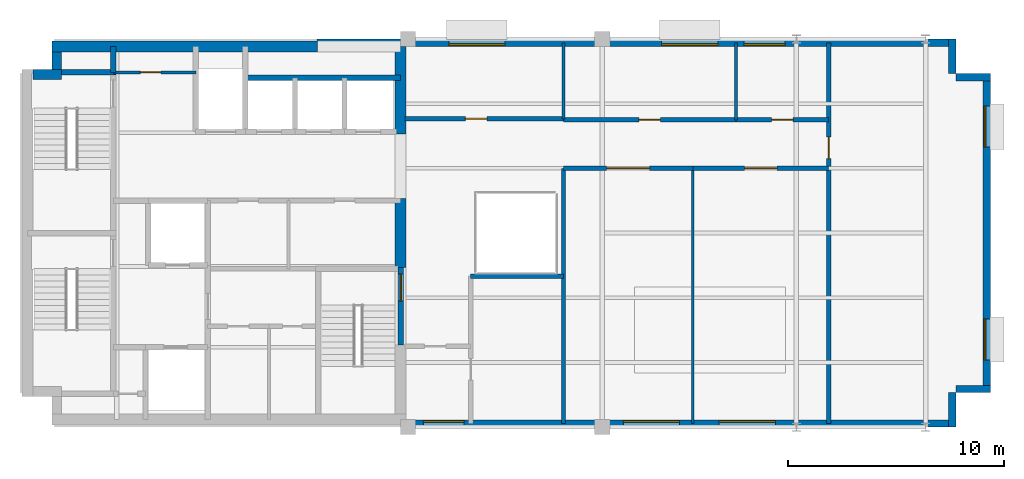
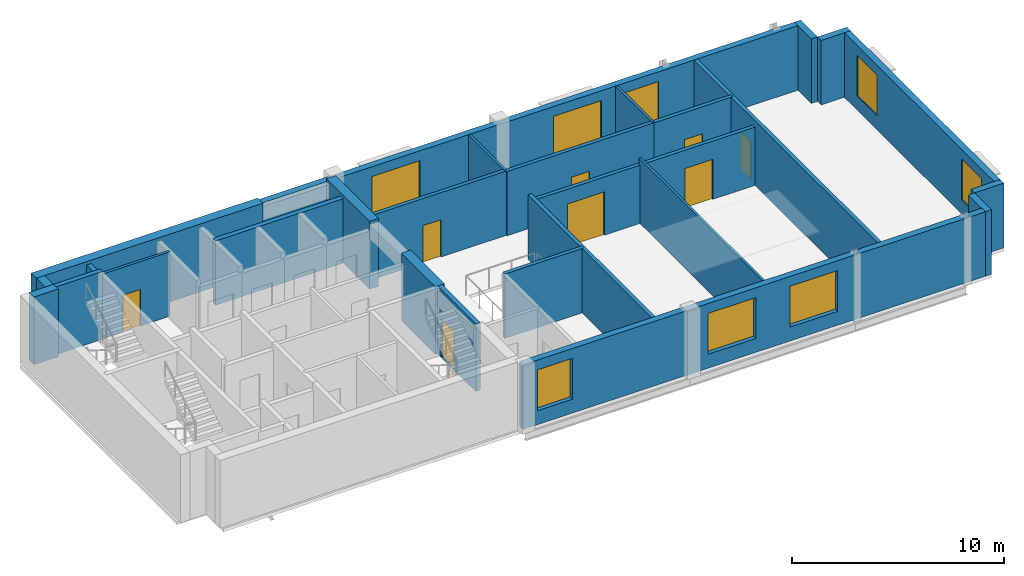
# One storey, part 3 of 5: 28 walls, 8 doors, 8 windows, 16 openings.
"""IFC4 building model written with IfcOpenShell, lengths in metres."""

from ifc_helpers import new_model, si_unit, direction, frame, frame_2d, origin, place, context, subcontext, project, spatial, rectangle, extrude, material, layer, layer_set, type_object, element, fill, save


model = new_model("IFC4")

# Units and contexts
model_context = context("Model", 3, precision=1e-05, world=origin(), true_north=direction((0.0, 1.0)))
body_context = subcontext(model_context, "Body", "Model", "MODEL_VIEW")
ifc_project = project(units=[si_unit("LENGTHUNIT", "METRE"), si_unit("AREAUNIT", "SQUARE_METRE"), si_unit("VOLUMEUNIT", "CUBIC_METRE"), si_unit("PLANEANGLEUNIT", "RADIAN"), si_unit("MASSUNIT", "GRAM", prefix="KILO")], contexts=[model_context])

# Site, building, storey
site_placement = place(None, origin())
site = spatial("IfcSite", under=ifc_project, at=site_placement, CompositionType="ELEMENT")
building_placement = place(site_placement, origin())
building = spatial("IfcBuilding", under=site, at=building_placement, Name="Mawjdan Bourse Tower", CompositionType="ELEMENT")
storey_placement = place(building_placement, frame((0.0, 0.0, 301.5)))
storey = spatial("IfcBuildingStorey", under=building, at=storey_placement, Name="L74", CompositionType="ELEMENT", Elevation=301.5)

# Wall, openings, windows
ifc_material_1 = material(Name="Brick Masonry Buff", Category="masonry")
ifc_layer_1 = layer(ifc_material_1, 0.340087890625)
ifc_layer_set_1 = layer_set([ifc_layer_1], Name="Brick Masonry Buff")
wall_type_1 = type_object("IfcWallType", Name="WL-BRK-SPN-340", PredefinedType="STANDARD", material=ifc_layer_set_1)
wall_1_placement = place(storey_placement, frame((23.89990234375, 3.169921875, 0.0), z_axis=(0.0, 0.0, 1.0), x_axis=(1.0, 0.0, 0.0)))
wall_1 = element("IfcWall", 1, at=wall_1_placement, inside=storey, type_object=wall_type_1, Name="L74 Exterior Brick Wall 1", PredefinedType="STANDARD", context=body_context, shape_type="SweptSolid", body=[
    extrude(rectangle(XDim=25.5, YDim=0.340087890625, at=frame_2d((12.75, 0.0))), origin(), (0.0, 0.0, 1.0), 3.715087890625),
])
opening_1_placement = place(wall_1_placement, frame((0.800048828125, 0.0, 0.800048828125)))
opening_1 = element("IfcOpeningElement", 2, at=opening_1_placement, cuts=wall_1, Name="Opening W-L74-05", PredefinedType="OPENING", context=body_context, shape_type="SweptSolid", body=[
    extrude(rectangle(XDim=1.89990234375, YDim=2.35009765625, at=frame_2d((0.949951171875, 1.175048828125))), frame((0.0, 0.18017578125, 0.0), z_axis=(0.0, -1.0, 0.0), x_axis=(1.0, 0.0, 0.0)), (0.0, 0.0, 1.0), 0.360107421875),
])
opening_2_placement = place(wall_1_placement, frame((10.07470703125, 0.0, 0.800048828125)))
opening_2 = element("IfcOpeningElement", 3, at=opening_2_placement, cuts=wall_1, Name="Opening W-L74-06", PredefinedType="OPENING", context=body_context, shape_type="SweptSolid", body=[
    extrude(rectangle(XDim=2.60009765625, YDim=2.35009765625, at=frame_2d((1.300048828125, 1.175048828125))), frame((0.0, 0.18017578125, 0.0), z_axis=(0.0, -1.0, 0.0), x_axis=(1.0, 0.0, 0.0)), (0.0, 0.0, 1.0), 0.360107421875),
])
opening_3_placement = place(wall_1_placement, frame((14.52490234375, 0.0, 0.800048828125)))
opening_3 = element("IfcOpeningElement", 4, at=opening_3_placement, cuts=wall_1, Name="Opening W-L74-07", PredefinedType="OPENING", context=body_context, shape_type="SweptSolid", body=[
    extrude(rectangle(XDim=2.60009765625, YDim=2.35009765625, at=frame_2d((1.300048828125, 1.175048828125))), frame((0.0, 0.18017578125, 0.0), z_axis=(0.0, -1.0, 0.0), x_axis=(1.0, 0.0, 0.0)), (0.0, 0.0, 1.0), 0.360107421875),
])
ifc_material_2 = material(Name="Solar-Control Clear Double Glazing", Category="glass")
window_type_1 = type_object("IfcWindowType", Name="WN-SMT-1900", PartitioningType="SINGLE_PANEL", PredefinedType="WINDOW", material=ifc_material_2)
window_1_placement = place(opening_1_placement, origin())
window_1 = element("IfcWindow", 5, at=window_1_placement, inside=storey, type_object=window_type_1, Name="L74 Deep-Set Masonry Window W-L74-05", OverallHeight=2.35009765625, OverallWidth=1.89990234375, PartitioningType="SINGLE_PANEL", PredefinedType="WINDOW", context=body_context, shape_type="SweptSolid", body=[
    extrude(rectangle(XDim=1.89990234375, YDim=2.35009765625, at=frame_2d((0.949951171875, 1.175048828125))), frame((0.0, 0.110107421875, 0.0), z_axis=(0.0, -1.0, 0.0), x_axis=(1.0, 0.0, 0.0)), (0.0, 0.0, 1.0), 0.06005859375),
])
fill(opening_1, window_1)
window_type_2 = type_object("IfcWindowType", Name="WN-SMT-2600", PartitioningType="SINGLE_PANEL", PredefinedType="WINDOW", material=ifc_material_2)
window_2_placement = place(opening_2_placement, origin())
window_2 = element("IfcWindow", 6, at=window_2_placement, inside=storey, type_object=window_type_2, Name="L74 Deep-Set Masonry Window W-L74-06", OverallHeight=2.35009765625, OverallWidth=2.60009765625, PartitioningType="SINGLE_PANEL", PredefinedType="WINDOW", context=body_context, shape_type="SweptSolid", body=[
    extrude(rectangle(XDim=2.60009765625, YDim=2.35009765625, at=frame_2d((1.300048828125, 1.175048828125))), frame((0.0, 0.110107421875, 0.0), z_axis=(0.0, -1.0, 0.0), x_axis=(1.0, 0.0, 0.0)), (0.0, 0.0, 1.0), 0.06005859375),
])
fill(opening_2, window_2)
window_3_placement = place(opening_3_placement, origin())
window_3 = element("IfcWindow", 7, at=window_3_placement, inside=storey, type_object=window_type_2, Name="L74 Deep-Set Masonry Window W-L74-07", OverallHeight=2.35009765625, OverallWidth=2.60009765625, PartitioningType="SINGLE_PANEL", PredefinedType="WINDOW", context=body_context, shape_type="SweptSolid", body=[
    extrude(rectangle(XDim=2.60009765625, YDim=2.35009765625, at=frame_2d((1.300048828125, 1.175048828125))), frame((0.0, 0.110107421875, 0.0), z_axis=(0.0, -1.0, 0.0), x_axis=(1.0, 0.0, 0.0)), (0.0, 0.0, 1.0), 0.06005859375),
])
fill(opening_3, window_3)

# Walls
for number, where, z_axis, x_axis, name in (
    (8, (49.22998046875, 3.0, 0.0), (0.0, 0.0, 1.0), (0.0, 1.0, 0.0), "L74 Exterior Brick Wall 2"),
    (9, (49.39990234375, 4.77001953125, 0.0), (0.0, 0.0, 1.0), (1.0, 0.0, 0.0), "L74 Exterior Brick Wall 3"),
):
    element("IfcWall", number, at=place(storey_placement, frame(where, z_axis=z_axis, x_axis=x_axis)), inside=storey, type_object=wall_type_1, Name=name, PredefinedType="STANDARD", context=body_context, shape_type="SweptSolid", body=[
        extrude(rectangle(XDim=1.60009765625, YDim=0.340087890625, at=frame_2d((0.800048828125, 0.0))), origin(), (0.0, 0.0, 1.0), 3.715087890625),
    ])

# Wall, openings, windows
wall_2_placement = place(storey_placement, frame((50.830078125, 4.60009765625, 0.0), z_axis=(0.0, 0.0, 1.0), x_axis=(0.0, 1.0, 0.0)))
wall_2 = element("IfcWall", 10, at=wall_2_placement, inside=storey, type_object=wall_type_1, Name="L74 Exterior Brick Wall 4", PredefinedType="STANDARD", context=body_context, shape_type="SweptSolid", body=[
    extrude(rectangle(XDim=14.7998046875, YDim=0.340087890625, at=frame_2d((7.39990234375, 0.0))), origin(), (0.0, 0.0, 1.0), 3.715087890625),
])
opening_4_placement = place(wall_2_placement, frame((1.5166015625, 0.0, 0.800048828125)))
opening_4 = element("IfcOpeningElement", 11, at=opening_4_placement, cuts=wall_2, Name="Opening W-L74-01", PredefinedType="OPENING", context=body_context, shape_type="SweptSolid", body=[
    extrude(rectangle(XDim=1.89990234375, YDim=2.35009765625, at=frame_2d((0.949951171875, 1.175048828125))), frame((0.0, 0.18017578125, 0.0), z_axis=(0.0, -1.0, 0.0), x_axis=(1.0, 0.0, 0.0)), (0.0, 0.0, 1.0), 0.360107421875),
])
opening_5_placement = place(wall_2_placement, frame((11.38330078125, 0.0, 0.800048828125)))
opening_5 = element("IfcOpeningElement", 12, at=opening_5_placement, cuts=wall_2, Name="Opening W-L74-02", PredefinedType="OPENING", context=body_context, shape_type="SweptSolid", body=[
    extrude(rectangle(XDim=1.89990234375, YDim=2.35009765625, at=frame_2d((0.949951171875, 1.175048828125))), frame((0.0, 0.18017578125, 0.0), z_axis=(0.0, -1.0, 0.0), x_axis=(1.0, 0.0, 0.0)), (0.0, 0.0, 1.0), 0.360107421875),
])
window_4_placement = place(opening_4_placement, origin())
window_4 = element("IfcWindow", 13, at=window_4_placement, inside=storey, type_object=window_type_1, Name="L74 Deep-Set Masonry Window W-L74-01", OverallHeight=2.35009765625, OverallWidth=1.89990234375, PartitioningType="SINGLE_PANEL", PredefinedType="WINDOW", context=body_context, shape_type="SweptSolid", body=[
    extrude(rectangle(XDim=1.89990234375, YDim=2.35009765625, at=frame_2d((0.949951171875, 1.175048828125))), frame((0.0, 0.110107421875, 0.0), z_axis=(0.0, -1.0, 0.0), x_axis=(1.0, 0.0, 0.0)), (0.0, 0.0, 1.0), 0.06005859375),
])
fill(opening_4, window_4)
window_5_placement = place(opening_5_placement, origin())
window_5 = element("IfcWindow", 14, at=window_5_placement, inside=storey, type_object=window_type_1, Name="L74 Deep-Set Masonry Window W-L74-02", OverallHeight=2.35009765625, OverallWidth=1.89990234375, PartitioningType="SINGLE_PANEL", PredefinedType="WINDOW", context=body_context, shape_type="SweptSolid", body=[
    extrude(rectangle(XDim=1.89990234375, YDim=2.35009765625, at=frame_2d((0.949951171875, 1.175048828125))), frame((0.0, 0.110107421875, 0.0), z_axis=(0.0, -1.0, 0.0), x_axis=(1.0, 0.0, 0.0)), (0.0, 0.0, 1.0), 0.06005859375),
])
fill(opening_5, window_5)

# Walls
for number, where, z_axis, x_axis, name in (
    (15, (51.0, 19.22998046875, 0.0), (0.0, 0.0, 1.0), (-1.0, 0.0, 0.0), "L74 Exterior Brick Wall 5"),
    (16, (49.22998046875, 19.39990234375, 0.0), (0.0, 0.0, 1.0), (0.0, 1.0, 0.0), "L74 Exterior Brick Wall 6"),
):
    element("IfcWall", number, at=place(storey_placement, frame(where, z_axis=z_axis, x_axis=x_axis)), inside=storey, type_object=wall_type_1, Name=name, PredefinedType="STANDARD", context=body_context, shape_type="SweptSolid", body=[
        extrude(rectangle(XDim=1.60009765625, YDim=0.340087890625, at=frame_2d((0.800048828125, 0.0))), origin(), (0.0, 0.0, 1.0), 3.715087890625),
    ])

# Wall, openings, windows
wall_3_placement = place(storey_placement, frame((49.39990234375, 20.830078125, 0.0), z_axis=(0.0, 0.0, 1.0), x_axis=(-1.0, 0.0, 0.0)))
wall_3 = element("IfcWall", 17, at=wall_3_placement, inside=storey, type_object=wall_type_1, Name="L74 Exterior Brick Wall 7", PredefinedType="STANDARD", context=body_context, shape_type="SweptSolid", body=[
    extrude(rectangle(XDim=29.619873046875, YDim=0.340087890625, at=frame_2d((14.81005859375, 0.0))), origin(), (0.0, 0.0, 1.0), 3.715087890625),
])
opening_6_placement = place(wall_3_placement, frame((11.041748046875, 0.0, 0.800048828125)))
opening_6 = element("IfcOpeningElement", 18, at=opening_6_placement, cuts=wall_3, Name="Opening W-L74-03", PredefinedType="OPENING", context=body_context, shape_type="SweptSolid", body=[
    extrude(rectangle(XDim=2.60009765625, YDim=2.35009765625, at=frame_2d((1.300048828125, 1.175048828125))), frame((0.0, 0.18017578125, 0.0), z_axis=(0.0, -1.0, 0.0), x_axis=(1.0, 0.0, 0.0)), (0.0, 0.0, 1.0), 0.360107421875),
])
opening_7_placement = place(wall_3_placement, frame((20.9150390625, 0.0, 0.800048828125)))
opening_7 = element("IfcOpeningElement", 19, at=opening_7_placement, cuts=wall_3, Name="Opening W-L74-04", PredefinedType="OPENING", context=body_context, shape_type="SweptSolid", body=[
    extrude(rectangle(XDim=2.60009765625, YDim=2.35009765625, at=frame_2d((1.300048828125, 1.175048828125))), frame((0.0, 0.18017578125, 0.0), z_axis=(0.0, -1.0, 0.0), x_axis=(1.0, 0.0, 0.0)), (0.0, 0.0, 1.0), 0.360107421875),
])
opening_8_placement = place(wall_3_placement, frame((7.9248046875, 0.0, 0.800048828125)))
opening_8 = element("IfcOpeningElement", 20, at=opening_8_placement, cuts=wall_3, Name="Opening W-L74-08", PredefinedType="OPENING", context=body_context, shape_type="SweptSolid", body=[
    extrude(rectangle(XDim=1.89990234375, YDim=2.35009765625, at=frame_2d((0.949951171875, 1.175048828125))), frame((0.0, 0.18017578125, 0.0), z_axis=(0.0, -1.0, 0.0), x_axis=(1.0, 0.0, 0.0)), (0.0, 0.0, 1.0), 0.360107421875),
])
window_6_placement = place(opening_8_placement, origin())
window_6 = element("IfcWindow", 21, at=window_6_placement, inside=storey, type_object=window_type_1, Name="L74 Deep-Set Masonry Window W-L74-08", OverallHeight=2.35009765625, OverallWidth=1.89990234375, PartitioningType="SINGLE_PANEL", PredefinedType="WINDOW", context=body_context, shape_type="SweptSolid", body=[
    extrude(rectangle(XDim=1.89990234375, YDim=2.35009765625, at=frame_2d((0.949951171875, 1.175048828125))), frame((0.0, 0.110107421875, 0.0), z_axis=(0.0, -1.0, 0.0), x_axis=(1.0, 0.0, 0.0)), (0.0, 0.0, 1.0), 0.06005859375),
])
fill(opening_8, window_6)
window_7_placement = place(opening_6_placement, origin())
window_7 = element("IfcWindow", 22, at=window_7_placement, inside=storey, type_object=window_type_2, Name="L74 Deep-Set Masonry Window W-L74-03", OverallHeight=2.35009765625, OverallWidth=2.60009765625, PartitioningType="SINGLE_PANEL", PredefinedType="WINDOW", context=body_context, shape_type="SweptSolid", body=[
    extrude(rectangle(XDim=2.60009765625, YDim=2.35009765625, at=frame_2d((1.300048828125, 1.175048828125))), frame((0.0, 0.110107421875, 0.0), z_axis=(0.0, -1.0, 0.0), x_axis=(1.0, 0.0, 0.0)), (0.0, 0.0, 1.0), 0.06005859375),
])
fill(opening_6, window_7)
window_8_placement = place(opening_7_placement, origin())
window_8 = element("IfcWindow", 23, at=window_8_placement, inside=storey, type_object=window_type_2, Name="L74 Deep-Set Masonry Window W-L74-04", OverallHeight=2.35009765625, OverallWidth=2.60009765625, PartitioningType="SINGLE_PANEL", PredefinedType="WINDOW", context=body_context, shape_type="SweptSolid", body=[
    extrude(rectangle(XDim=2.60009765625, YDim=2.35009765625, at=frame_2d((1.300048828125, 1.175048828125))), frame((0.0, 0.110107421875, 0.0), z_axis=(0.0, -1.0, 0.0), x_axis=(1.0, 0.0, 0.0)), (0.0, 0.0, 1.0), 0.06005859375),
])
fill(opening_7, window_8)

# Walls
ifc_material_3 = material(Name="Gypsum Fireboard Assembly")
ifc_layer_2 = layer(ifc_material_3, 0.199951171875)
ifc_layer_set_2 = layer_set([ifc_layer_2], Name="Gypsum Fireboard Assembly")
wall_type_2 = type_object("IfcWallType", Name="WL-CMP-200", PredefinedType="PARTITIONING", material=ifc_layer_set_2)
wall_4_placement = place(storey_placement, frame((26.89990234375, 10.0, 0.0), z_axis=(0.0, 0.0, 1.0), x_axis=(1.0, 0.0, 0.0)))
element("IfcWall", 24, at=wall_4_placement, inside=storey, type_object=wall_type_2, Name="L74 Summit South Atrium Suite North Wall", PredefinedType="PARTITIONING", context=body_context, shape_type="SweptSolid", body=[
    extrude(rectangle(XDim=4.300048828125, YDim=0.199951171875, at=frame_2d((2.14990234375, 0.0))), origin(), (0.0, 0.0, 1.0), 3.705078125),
])
wall_5_placement = place(storey_placement, frame((31.199951171875, 3.179931640625, 0.0), z_axis=(0.0, 0.0, 1.0), x_axis=(0.0, 1.0, 0.0)))
element("IfcWall", 25, at=wall_5_placement, inside=storey, type_object=wall_type_2, Name="L74 Summit South Atrium Suite East Wall", PredefinedType="PARTITIONING", context=body_context, shape_type="SweptSolid", body=[
    extrude(rectangle(XDim=11.820068359375, YDim=0.199951171875, at=frame_2d((5.91015625, 0.0))), origin(), (0.0, 0.0, 1.0), 3.705078125),
])

# Wall, opening, door
wall_6_placement = place(storey_placement, frame((23.85009765625, 17.300048828125, 0.0), z_axis=(0.0, 0.0, 1.0), x_axis=(1.0, 0.0, 0.0)))
wall_6 = element("IfcWall", 26, at=wall_6_placement, inside=storey, type_object=wall_type_2, Name="L74 Summit Throat North Wall", PredefinedType="PARTITIONING", context=body_context, shape_type="SweptSolid", body=[
    extrude(rectangle(XDim=7.349853515625, YDim=0.199951171875, at=frame_2d((3.6748046875, 0.0))), origin(), (0.0, 0.0, 1.0), 3.705078125),
])
opening_9_placement = place(wall_6_placement, frame((2.800048828125, 0.0, 0.0)))
opening_9 = element("IfcOpeningElement", 27, at=opening_9_placement, cuts=wall_6, Name="Opening D-L74-20", PredefinedType="OPENING", context=body_context, shape_type="SweptSolid", body=[
    extrude(rectangle(XDim=1.0, YDim=2.14990234375, at=frame_2d((0.5, 1.074951171875))), frame((0.0, 0.10986328125, 0.0), z_axis=(0.0, -1.0, 0.0), x_axis=(1.0, 0.0, 0.0)), (0.0, 0.0, 1.0), 0.219970703125),
])
ifc_material_4 = material(Name="Hardwood Acoustic Leaf", Category="wood")
door_type_1 = type_object("IfcDoorType", Name="DR-OFC-1000", OperationType="NOTDEFINED", PredefinedType="DOOR", material=ifc_material_4)
door_1_placement = place(opening_9_placement, origin())
door_1 = element("IfcDoor", 28, at=door_1_placement, inside=storey, type_object=door_type_1, Name="L74 Summit Throat North Room Door D-L74-20", OperationType="SINGLE_SWING_RIGHT", OverallHeight=2.14990234375, OverallWidth=1.0, PredefinedType="DOOR", context=body_context, shape_type="SweptSolid", body=[
    extrude(rectangle(XDim=1.0, YDim=2.14990234375, at=frame_2d((0.5, 1.074951171875))), frame((0.0, 0.02490234375, 0.0), z_axis=(0.0, -1.0, 0.0), x_axis=(1.0, 0.0, 0.0)), (0.0, 0.0, 1.0), 0.050048828125),
])
fill(opening_9, door_1)

wall_7_placement = place(storey_placement, frame((31.199951171875, 15.0, 0.0), z_axis=(0.0, 0.0, 1.0), x_axis=(1.0, 0.0, 0.0)))
wall_7 = element("IfcWall", 29, at=wall_7_placement, inside=storey, type_object=wall_type_2, Name="L74 Gulf Capital Council Hall Corridor Wall", PredefinedType="PARTITIONING", context=body_context, shape_type="SweptSolid", body=[
    extrude(rectangle(XDim=6.0, YDim=0.199951171875, at=frame_2d((3.0, 0.0))), origin(), (0.0, 0.0, 1.0), 3.35400390625),
])
opening_10_placement = place(wall_7_placement, frame((2.0, 0.0, 0.0)))
opening_10 = element("IfcOpeningElement", 30, at=opening_10_placement, cuts=wall_7, Name="Opening D-L74-21", PredefinedType="OPENING", context=body_context, shape_type="SweptSolid", body=[
    extrude(rectangle(XDim=2.0, YDim=2.5, at=frame_2d((1.0, 1.25))), frame((0.0, 0.10986328125, 0.0), z_axis=(0.0, -1.0, 0.0), x_axis=(1.0, 0.0, 0.0)), (0.0, 0.0, 1.0), 0.219970703125),
])
ifc_material_5 = material(Name="Acoustic Veneered Timber", Category="wood")
door_type_2 = type_object("IfcDoorType", Name="DR-ASM-2000", OperationType="DOUBLE_DOOR_SINGLE_SWING", PredefinedType="DOOR", material=ifc_material_5)
door_2_placement = place(opening_10_placement, origin())
door_2 = element("IfcDoor", 31, at=door_2_placement, inside=storey, type_object=door_type_2, Name="L74 Gulf Capital Council Hall Door D-L74-21", OperationType="DOUBLE_DOOR_SINGLE_SWING", OverallHeight=2.5, OverallWidth=2.0, PredefinedType="DOOR", context=body_context, shape_type="SweptSolid", body=[
    extrude(rectangle(XDim=2.0, YDim=2.5, at=frame_2d((1.0, 1.25))), frame((0.0, 0.02490234375, 0.0), z_axis=(0.0, -1.0, 0.0), x_axis=(1.0, 0.0, 0.0)), (0.0, 0.0, 1.0), 0.050048828125),
])
fill(opening_10, door_2)

wall_8_placement = place(storey_placement, frame((37.199951171875, 15.0, 0.0), z_axis=(0.0, 0.0, 1.0), x_axis=(1.0, 0.0, 0.0)))
wall_8 = element("IfcWall", 32, at=wall_8_placement, inside=storey, type_object=wall_type_2, Name="L74 Conference Room Corridor Wall", PredefinedType="PARTITIONING", context=body_context, shape_type="SweptSolid", body=[
    extrude(rectangle(XDim=6.300048828125, YDim=0.199951171875, at=frame_2d((3.14990234375, 0.0))), origin(), (0.0, 0.0, 1.0), 3.35400390625),
])
opening_11_placement = place(wall_8_placement, frame((2.39990234375, 0.0, 0.0)))
opening_11 = element("IfcOpeningElement", 33, at=opening_11_placement, cuts=wall_8, Name="Opening D-L74-22", PredefinedType="OPENING", context=body_context, shape_type="SweptSolid", body=[
    extrude(rectangle(XDim=1.5, YDim=2.300048828125, at=frame_2d((0.75, 1.14990234375))), frame((0.0, 0.10986328125, 0.0), z_axis=(0.0, -1.0, 0.0), x_axis=(1.0, 0.0, 0.0)), (0.0, 0.0, 1.0), 0.219970703125),
])
ifc_material_6 = material(Name="Acoustic Glazed Timber", Category="wood")
door_type_3 = type_object("IfcDoorType", Name="DR-CNF-1500", OperationType="DOUBLE_DOOR_SINGLE_SWING", PredefinedType="DOOR", material=ifc_material_6)
door_3_placement = place(opening_11_placement, origin())
door_3 = element("IfcDoor", 34, at=door_3_placement, inside=storey, type_object=door_type_3, Name="L74 Conference Room Door D-L74-22", OperationType="DOUBLE_DOOR_SINGLE_SWING", OverallHeight=2.300048828125, OverallWidth=1.5, PredefinedType="DOOR", context=body_context, shape_type="SweptSolid", body=[
    extrude(rectangle(XDim=1.5, YDim=2.300048828125, at=frame_2d((0.75, 1.14990234375))), frame((0.0, 0.02490234375, 0.0), z_axis=(0.0, -1.0, 0.0), x_axis=(1.0, 0.0, 0.0)), (0.0, 0.0, 1.0), 0.050048828125),
])
fill(opening_11, door_3)

wall_9_placement = place(storey_placement, frame((31.199951171875, 17.25, 0.0), z_axis=(0.0, 0.0, 1.0), x_axis=(1.0, 0.0, 0.0)))
wall_9 = element("IfcWall", 35, at=wall_9_placement, inside=storey, type_object=wall_type_2, Name="L74 Executive Office Corridor Wall", PredefinedType="PARTITIONING", context=body_context, shape_type="SweptSolid", body=[
    extrude(rectangle(XDim=8.0, YDim=0.199951171875, at=frame_2d((4.0, 0.0))), origin(), (0.0, 0.0, 1.0), 3.705078125),
])
opening_12_placement = place(wall_9_placement, frame((3.5, 0.0, 0.0)))
opening_12 = element("IfcOpeningElement", 36, at=opening_12_placement, cuts=wall_9, Name="Opening D-L74-23", PredefinedType="OPENING", context=body_context, shape_type="SweptSolid", body=[
    extrude(rectangle(XDim=1.0, YDim=2.14990234375, at=frame_2d((0.5, 1.074951171875))), frame((0.0, 0.10986328125, 0.0), z_axis=(0.0, -1.0, 0.0), x_axis=(1.0, 0.0, 0.0)), (0.0, 0.0, 1.0), 0.219970703125),
])
door_4_placement = place(opening_12_placement, origin())
door_4 = element("IfcDoor", 37, at=door_4_placement, inside=storey, type_object=door_type_1, Name="L74 Executive Office Door D-L74-23", OperationType="SINGLE_SWING_LEFT", OverallHeight=2.14990234375, OverallWidth=1.0, PredefinedType="DOOR", context=body_context, shape_type="SweptSolid", body=[
    extrude(rectangle(XDim=1.0, YDim=2.14990234375, at=frame_2d((0.5, 1.074951171875))), frame((0.0, 0.02490234375, 0.0), z_axis=(0.0, -1.0, 0.0), x_axis=(1.0, 0.0, 0.0)), (0.0, 0.0, 1.0), 0.050048828125),
])
fill(opening_12, door_4)

wall_10_placement = place(storey_placement, frame((39.199951171875, 17.25, 0.0), z_axis=(0.0, 0.0, 1.0), x_axis=(1.0, 0.0, 0.0)))
wall_10 = element("IfcWall", 38, at=wall_10_placement, inside=storey, type_object=wall_type_2, Name="L74 Private Advisory Suite Corridor Wall", PredefinedType="PARTITIONING", context=body_context, shape_type="SweptSolid", body=[
    extrude(rectangle(XDim=4.300048828125, YDim=0.199951171875, at=frame_2d((2.14990234375, 0.0))), origin(), (0.0, 0.0, 1.0), 3.705078125),
])
opening_13_placement = place(wall_10_placement, frame((1.64990234375, 0.0, 0.0)))
opening_13 = element("IfcOpeningElement", 39, at=opening_13_placement, cuts=wall_10, Name="Opening D-L74-24", PredefinedType="OPENING", context=body_context, shape_type="SweptSolid", body=[
    extrude(rectangle(XDim=1.0, YDim=2.14990234375, at=frame_2d((0.5, 1.074951171875))), frame((0.0, 0.10986328125, 0.0), z_axis=(0.0, -1.0, 0.0), x_axis=(1.0, 0.0, 0.0)), (0.0, 0.0, 1.0), 0.219970703125),
])
door_5_placement = place(opening_13_placement, origin())
door_5 = element("IfcDoor", 40, at=door_5_placement, inside=storey, type_object=door_type_1, Name="L74 Private Advisory Suite Door D-L74-24", OperationType="SINGLE_SWING_RIGHT", OverallHeight=2.14990234375, OverallWidth=1.0, PredefinedType="DOOR", context=body_context, shape_type="SweptSolid", body=[
    extrude(rectangle(XDim=1.0, YDim=2.14990234375, at=frame_2d((0.5, 1.074951171875))), frame((0.0, 0.02490234375, 0.0), z_axis=(0.0, -1.0, 0.0), x_axis=(1.0, 0.0, 0.0)), (0.0, 0.0, 1.0), 0.050048828125),
])
fill(opening_13, door_5)

wall_11_placement = place(storey_placement, frame((43.5, 3.179931640625, 0.0), z_axis=(0.0, 0.0, 1.0), x_axis=(0.0, 1.0, 0.0)))
wall_11 = element("IfcWall", 41, at=wall_11_placement, inside=storey, type_object=wall_type_2, Name="L74 East Tip Full Cross Wall", PredefinedType="PARTITIONING", context=body_context, shape_type="SweptSolid", body=[
    extrude(rectangle(XDim=17.64013671875, YDim=0.199951171875, at=frame_2d((8.820068359375, 0.0))), origin(), (0.0, 0.0, 1.0), 3.705078125),
])
opening_14_placement = place(wall_11_placement, frame((12.27490234375, 0.0, 0.0)))
opening_14 = element("IfcOpeningElement", 42, at=opening_14_placement, cuts=wall_11, Name="Opening D-L74-25", PredefinedType="OPENING", context=body_context, shape_type="SweptSolid", body=[
    extrude(rectangle(XDim=1.0, YDim=2.14990234375, at=frame_2d((0.5, 1.074951171875))), frame((0.0, 0.10986328125, 0.0), z_axis=(0.0, -1.0, 0.0), x_axis=(1.0, 0.0, 0.0)), (0.0, 0.0, 1.0), 0.219970703125),
])
door_6_placement = place(opening_14_placement, origin())
door_6 = element("IfcDoor", 43, at=door_6_placement, inside=storey, type_object=door_type_1, Name="L74 East Tip Hall Door D-L74-25", OperationType="SINGLE_SWING_LEFT", OverallHeight=2.14990234375, OverallWidth=1.0, PredefinedType="DOOR", context=body_context, shape_type="SweptSolid", body=[
    extrude(rectangle(XDim=1.0, YDim=2.14990234375, at=frame_2d((0.5, 1.074951171875))), frame((0.0, 0.02490234375, 0.0), z_axis=(0.0, -1.0, 0.0), x_axis=(1.0, 0.0, 0.0)), (0.0, 0.0, 1.0), 0.050048828125),
])
fill(opening_14, door_6)

# Walls
ifc_material_7 = material(Name="Concrete C60/75", Category="concrete")
ifc_layer_3 = layer(ifc_material_7, 0.449951171875)
ifc_layer_set_3 = layer_set([ifc_layer_3], Name="Concrete C60/75")
wall_type_3 = type_object("IfcWallType", Name="WL-CORE-450", PredefinedType="SHEAR", material=ifc_layer_set_3)
wall_12_placement = place(storey_placement, frame((6.60009765625, 19.35009765625, 0.0), z_axis=(0.0, 0.0, 1.0), x_axis=(1.0, 0.0, 0.0)))
element("IfcWall", 44, at=wall_12_placement, inside=storey, type_object=wall_type_3, Name="L74 Rear Core Shear Wall NW-X", PredefinedType="SHEAR", context=body_context, shape_type="SweptSolid", body=[
    extrude(rectangle(XDim=1.324951171875, YDim=0.449951171875, at=frame_2d((0.66259765625, 0.0))), origin(), (0.0, 0.0, 1.0), 3.89990234375),
])
wall_13_placement = place(storey_placement, frame((7.699951171875, 19.574951171875, 0.0), z_axis=(0.0, 0.0, 1.0), x_axis=(0.0, 1.0, 0.0)))
element("IfcWall", 45, at=wall_13_placement, inside=storey, type_object=wall_type_3, Name="L74 Rear Core Shear Wall NW-Y", PredefinedType="SHEAR", context=body_context, shape_type="SweptSolid", body=[
    extrude(rectangle(XDim=0.824951171875, YDim=0.449951171875, at=frame_2d((0.41259765625, 0.0))), origin(), (0.0, 0.0, 1.0), 3.89990234375),
])
ifc_layer_4 = layer(ifc_material_7, 0.5)
ifc_layer_set_4 = layer_set([ifc_layer_4], Name="Concrete C60/75")
wall_type_4 = type_object("IfcWallType", Name="WL-CORE-500", PredefinedType="SHEAR", material=ifc_layer_set_4)
wall_14_placement = place(storey_placement, frame((7.47509765625, 20.64990234375, 0.0), z_axis=(0.0, 0.0, 1.0), x_axis=(1.0, 0.0, 0.0)))
element("IfcWall", 46, at=wall_14_placement, inside=storey, type_object=wall_type_4, Name="L74 Rear Core Shear Wall N", PredefinedType="SHEAR", context=body_context, shape_type="SweptSolid", body=[
    extrude(rectangle(XDim=12.324951171875, YDim=0.5, at=frame_2d((6.16259765625, 0.0))), origin(), (0.0, 0.0, 1.0), 3.89990234375),
])
wall_15_placement = place(storey_placement, frame((23.64990234375, 10.39990234375, 0.0), z_axis=(0.0, 0.0, 1.0), x_axis=(0.0, 1.0, 0.0)))
element("IfcWall", 47, at=wall_15_placement, inside=storey, type_object=wall_type_4, Name="L74 Rear Core Shear Wall E2", PredefinedType="SHEAR", context=body_context, shape_type="SweptSolid", body=[
    extrude(rectangle(XDim=3.2001953125, YDim=0.5, at=frame_2d((1.60009765625, 0.0))), origin(), (0.0, 0.0, 1.0), 3.89990234375),
])
wall_16_placement = place(storey_placement, frame((23.64990234375, 16.60009765625, 0.0), z_axis=(0.0, 0.0, 1.0), x_axis=(0.0, 1.0, 0.0)))
element("IfcWall", 48, at=wall_16_placement, inside=storey, type_object=wall_type_4, Name="L74 Rear Core Shear Wall E3", PredefinedType="SHEAR", context=body_context, shape_type="SweptSolid", body=[
    extrude(rectangle(XDim=4.0498046875, YDim=0.5, at=frame_2d((2.02490234375, 0.0))), origin(), (0.0, 0.0, 1.0), 3.89990234375),
])
ifc_material_8 = material(Name="Gypsum Partition")
ifc_layer_5 = layer(ifc_material_8, 0.125)
ifc_layer_set_5 = layer_set([ifc_layer_5], Name="Gypsum Partition")
wall_type_5 = type_object("IfcWallType", Name="WL-PRT-125", PredefinedType="PARTITIONING", material=ifc_layer_set_5)
wall_17_placement = place(storey_placement, frame((31.199951171875, 17.300048828125, 0.0), z_axis=(0.0, 0.0, 1.0), x_axis=(0.0, 1.0, 0.0)))
element("IfcWall", 49, at=wall_17_placement, inside=storey, type_object=wall_type_5, Name="L74 Summit Throat North Return", PredefinedType="PARTITIONING", context=body_context, shape_type="SweptSolid", body=[
    extrude(rectangle(XDim=3.52001953125, YDim=0.125, at=frame_2d((1.760009765625, 0.0))), origin(), (0.0, 0.0, 1.0), 3.705078125),
])
wall_18_placement = place(storey_placement, frame((37.199951171875, 3.179931640625, 0.0), z_axis=(0.0, 0.0, 1.0), x_axis=(0.0, 1.0, 0.0)))
element("IfcWall", 50, at=wall_18_placement, inside=storey, type_object=wall_type_5, Name="L74 Conference Room Partition", PredefinedType="PARTITIONING", context=body_context, shape_type="SweptSolid", body=[
    extrude(rectangle(XDim=11.820068359375, YDim=0.125, at=frame_2d((5.91015625, 0.0))), origin(), (0.0, 0.0, 1.0), 3.705078125),
])
wall_19_placement = place(storey_placement, frame((39.199951171875, 17.25, 0.0), z_axis=(0.0, 0.0, 1.0), x_axis=(0.0, 1.0, 0.0)))
element("IfcWall", 51, at=wall_19_placement, inside=storey, type_object=wall_type_5, Name="L74 Private Advisory Suite Partition", PredefinedType="PARTITIONING", context=body_context, shape_type="SweptSolid", body=[
    extrude(rectangle(XDim=3.570068359375, YDim=0.125, at=frame_2d((1.78515625, 0.0))), origin(), (0.0, 0.0, 1.0), 3.705078125),
])

# Wall, opening, door
ifc_material_9 = material(Name="Gypsum Acoustic Partition")
ifc_layer_6 = layer(ifc_material_9, 0.14990234375)
ifc_layer_set_6 = layer_set([ifc_layer_6], Name="Gypsum Acoustic Partition")
wall_type_6 = type_object("IfcWallType", Name="WL-PRT-150", PredefinedType="PARTITIONING", material=ifc_layer_set_6)
wall_20_placement = place(storey_placement, frame((10.330078125, 19.449951171875, 0.0), z_axis=(0.0, 0.0, 1.0), x_axis=(1.0, 0.0, 0.0)))
wall_20 = element("IfcWall", 52, at=wall_20_placement, inside=storey, type_object=wall_type_6, Name="L74 Housekeeping South Wall", PredefinedType="PARTITIONING", context=body_context, shape_type="SweptSolid", body=[
    extrude(rectangle(XDim=3.81982421875, YDim=0.14990234375, at=frame_2d((1.909912109375, 0.0))), origin(), (0.0, 0.0, 1.0), 3.705078125),
])
opening_15_placement = place(wall_20_placement, frame((1.25, 0.0, 0.0)))
opening_15 = element("IfcOpeningElement", 53, at=opening_15_placement, cuts=wall_20, Name="Opening D-L74-17", PredefinedType="OPENING", context=body_context, shape_type="SweptSolid", body=[
    extrude(rectangle(XDim=0.949951171875, YDim=2.10009765625, at=frame_2d((0.47509765625, 1.050048828125))), frame((0.0, 0.0849609375, 0.0), z_axis=(0.0, -1.0, 0.0), x_axis=(1.0, 0.0, 0.0)), (0.0, 0.0, 1.0), 0.169921875),
])
ifc_material_10 = material(Name="Moisture-Resistant Laminate Timber", Category="wood")
door_type_4 = type_object("IfcDoorType", Name="DR-WET-0950", OperationType="NOTDEFINED", PredefinedType="DOOR", material=ifc_material_10)
door_7_placement = place(opening_15_placement, origin())
door_7 = element("IfcDoor", 54, at=door_7_placement, inside=storey, type_object=door_type_4, Name="L74 Housekeeping Closet Door D-L74-17", OperationType="SINGLE_SWING_LEFT", OverallHeight=2.10009765625, OverallWidth=0.949951171875, PredefinedType="DOOR", context=body_context, shape_type="SweptSolid", body=[
    extrude(rectangle(XDim=0.949951171875, YDim=2.10009765625, at=frame_2d((0.47509765625, 1.050048828125))), frame((0.0, 0.02490234375, 0.0), z_axis=(0.0, -1.0, 0.0), x_axis=(1.0, 0.0, 0.0)), (0.0, 0.0, 1.0), 0.050048828125),
])
fill(opening_15, door_7)

# Walls
ifc_material_11 = material(Name="Concrete C50/60", Category="concrete")
ifc_layer_7 = layer(ifc_material_11, 0.25)
ifc_layer_set_7 = layer_set([ifc_layer_7], Name="Concrete C50/60")
wall_type_7 = type_object("IfcWallType", Name="WL-SHFT-250", PredefinedType="PARTITIONING", material=ifc_layer_set_7)
wall_21_placement = place(storey_placement, frame((10.330078125, 19.449951171875, 0.0), z_axis=(0.0, 0.0, 1.0), x_axis=(0.0, 1.0, 0.0)))
element("IfcWall", 55, at=wall_21_placement, inside=storey, type_object=wall_type_7, Name="L74 NW Riser East Wall", PredefinedType="PARTITIONING", context=body_context, shape_type="SweptSolid", body=[
    extrude(rectangle(XDim=1.199951171875, YDim=0.25, at=frame_2d((0.60009765625, 0.0))), origin(), (0.0, 0.0, 1.0), 3.705078125),
])
wall_22_placement = place(storey_placement, frame((16.449951171875, 19.199951171875, 0.0), z_axis=(0.0, 0.0, 1.0), x_axis=(1.0, 0.0, 0.0)))
element("IfcWall", 56, at=wall_22_placement, inside=storey, type_object=wall_type_7, Name="L74 PH Bank North Shaft Back Wall", PredefinedType="PARTITIONING", context=body_context, shape_type="SweptSolid", body=[
    extrude(rectangle(XDim=7.199951171875, YDim=0.25, at=frame_2d((3.60009765625, 0.0))), origin(), (0.0, 0.0, 1.0), 3.705078125),
])
ifc_layer_8 = layer(ifc_material_11, 0.25)
ifc_layer_set_8 = layer_set([ifc_layer_8], Name="Concrete C50/60")
wall_type_8 = type_object("IfcWallType", Name="WL-STRW-250", PredefinedType="SHEAR", material=ifc_layer_set_8)
wall_23_placement = place(storey_placement, frame((7.699951171875, 19.449951171875, 0.0), z_axis=(0.0, 0.0, 1.0), x_axis=(1.0, 0.0, 0.0)))
element("IfcWall", 57, at=wall_23_placement, inside=storey, type_object=wall_type_8, Name="L74 Stairwell ST2 North Shaft Wall", PredefinedType="SHEAR", context=body_context, shape_type="SweptSolid", body=[
    extrude(rectangle(XDim=2.755126953125, YDim=0.25, at=frame_2d((1.37744140625, 0.0))), origin(), (0.0, 0.0, 1.0), 3.89990234375),
])

# Wall, opening, door
wall_24_placement = place(storey_placement, frame((23.64990234375, 6.800048828125, 0.0), z_axis=(0.0, 0.0, 1.0), x_axis=(0.0, 1.0, 0.0)))
wall_24 = element("IfcWall", 58, at=wall_24_placement, inside=storey, type_object=wall_type_8, Name="L74 ST7 East Shaft Wall", PredefinedType="SHEAR", context=body_context, shape_type="SweptSolid", body=[
    extrude(rectangle(XDim=3.599853515625, YDim=0.25, at=frame_2d((1.7998046875, 0.0))), origin(), (0.0, 0.0, 1.0), 3.89990234375),
])
opening_16_placement = place(wall_24_placement, frame((2.0400390625, 0.0, 0.0)))
opening_16 = element("IfcOpeningElement", 59, at=opening_16_placement, cuts=wall_24, Name="Opening SD-L74-26", PredefinedType="OPENING", context=body_context, shape_type="SweptSolid", body=[
    extrude(rectangle(XDim=1.25, YDim=2.199951171875, at=frame_2d((0.625, 1.10009765625))), frame((0.0, 0.135009765625, 0.0), z_axis=(0.0, -1.0, 0.0), x_axis=(1.0, 0.0, 0.0)), (0.0, 0.0, 1.0), 0.27001953125),
])
ifc_material_12 = material(Name="Fire-Rated Steel Leaf", Category="steel")
door_type_5 = type_object("IfcDoorType", Name="FD-ST-1250", OperationType="NOTDEFINED", PredefinedType="DOOR", material=ifc_material_12)
door_8_placement = place(opening_16_placement, origin())
door_8 = element("IfcDoor", 60, at=door_8_placement, inside=storey, type_object=door_type_5, Name="L74 Stair ST7 Fire Door SD-L74-26", OperationType="SINGLE_SWING_RIGHT", OverallHeight=2.199951171875, OverallWidth=1.25, PredefinedType="DOOR", context=body_context, shape_type="SweptSolid", body=[
    extrude(rectangle(XDim=1.25, YDim=2.199951171875, at=frame_2d((0.625, 1.10009765625))), frame((0.0, 0.02490234375, 0.0), z_axis=(0.0, -1.0, 0.0), x_axis=(1.0, 0.0, 0.0)), (0.0, 0.0, 1.0), 0.050048828125),
])
fill(opening_16, door_8)

save(model, "model.ifc")
